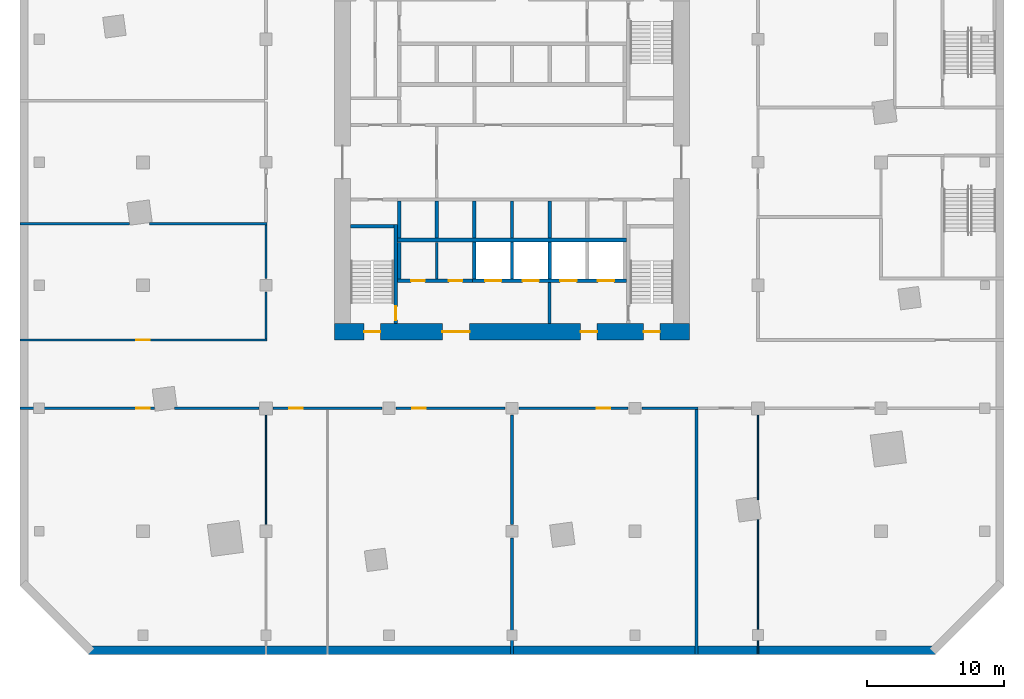
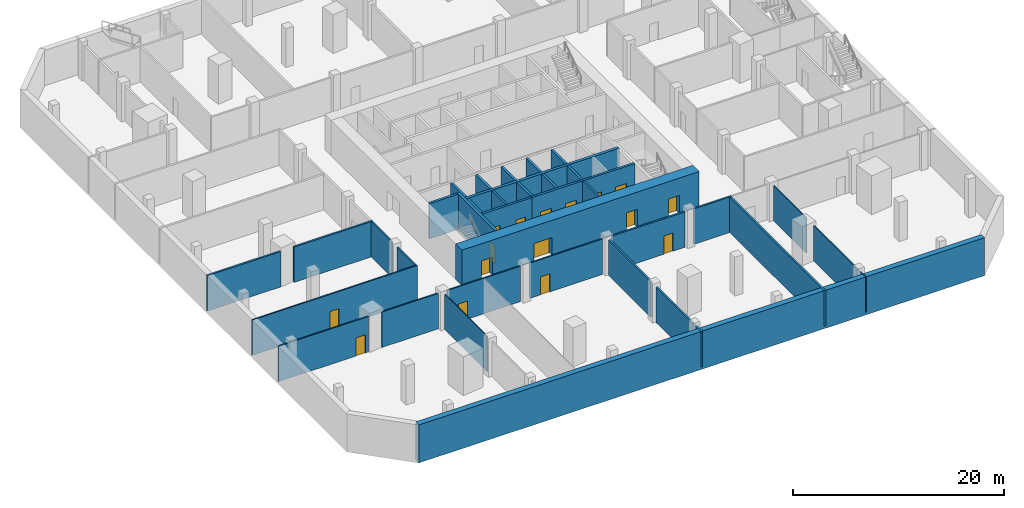
# One storey, part 2 of 11: 35 walls, 16 doors, 16 openings.
"""IFC4 building model written with IfcOpenShell, lengths in metres."""

from ifc_helpers import new_model, si_unit, direction, frame, frame_2d, origin, place, context, subcontext, project, spatial, rectangle, extrude, material, layer, layer_set, type_object, element, fill, save


model = new_model("IFC4")

# Units and contexts
model_context = context("Model", 3, precision=1e-05, world=origin(), true_north=direction((0.0, 1.0)))
body_context = subcontext(model_context, "Body", "Model", "MODEL_VIEW")
ifc_project = project(units=[si_unit("LENGTHUNIT", "METRE"), si_unit("AREAUNIT", "SQUARE_METRE"), si_unit("VOLUMEUNIT", "CUBIC_METRE"), si_unit("PLANEANGLEUNIT", "RADIAN"), si_unit("MASSUNIT", "GRAM", prefix="KILO")], contexts=[model_context])

# Site, building, storey
site_placement = place(None, origin())
site = spatial("IfcSite", under=ifc_project, at=site_placement, CompositionType="ELEMENT")
building_placement = place(site_placement, origin())
building = spatial("IfcBuilding", under=site, at=building_placement, Name="Dilmun Exchange Tower", CompositionType="ELEMENT")
storey_placement = place(building_placement, frame((0.0, 0.0, -4.5)))
storey = spatial("IfcBuildingStorey", under=building, at=storey_placement, Name="B1", CompositionType="ELEMENT", Elevation=-4.5)

# Walls
ifc_material_1 = material(Name="Concrete C40/50", Category="concrete")
ifc_layer_1 = layer(ifc_material_1, 0.199951171875)
ifc_layer_set_1 = layer_set([ifc_layer_1], Name="Concrete C40/50")
wall_type_1 = type_object("IfcWallType", Name="Core partition wall 200", PredefinedType="PARTITIONING", material=ifc_layer_set_1)
wall_1_placement = place(storey_placement, frame((2.75, -11.794921875, 0.0), z_axis=(0.0, 0.0, 1.0), x_axis=(0.0, 1.0, 0.0)))
element("IfcWall", 1, at=wall_1_placement, inside=storey, type_object=wall_type_1, Name="B1 core partition wall 01", PredefinedType="PARTITIONING", context=body_context, shape_type="SweptSolid", body=[
    extrude(rectangle(XDim=2.989990234375, YDim=0.199951171875, at=frame_2d((1.4951171875, 0.0))), origin(), (0.0, 0.0, 1.0), 4.10009765625),
])
wall_2_placement = place(storey_placement, frame((-5.5, -8.544921875, 0.0), z_axis=(0.0, 0.0, 1.0), x_axis=(0.0, 1.0, 0.0)))
element("IfcWall", 2, at=wall_2_placement, inside=storey, type_object=wall_type_1, Name="B1 core partition wall 04", PredefinedType="PARTITIONING", context=body_context, shape_type="SweptSolid", body=[
    extrude(rectangle(XDim=2.68994140625, YDim=0.199951171875, at=frame_2d((1.344970703125, 0.0))), origin(), (0.0, 0.0, 1.0), 4.10009765625),
])

# Wall, openings, doors
ifc_layer_2 = layer(ifc_material_1, 0.25)
ifc_layer_set_2 = layer_set([ifc_layer_2], Name="Concrete C40/50")
wall_type_2 = type_object("IfcWallType", Name="Core partition wall 250", PredefinedType="PARTITIONING", material=ifc_layer_set_2)
wall_3_placement = place(storey_placement, frame((-8.3701171875, -8.675048828125, 0.0), z_axis=(0.0, 0.0, 1.0), x_axis=(1.0, 0.0, 0.0)))
wall_3 = element("IfcWall", 3, at=wall_3_placement, inside=storey, type_object=wall_type_2, Name="B1 core partition wall 02", PredefinedType="PARTITIONING", context=body_context, shape_type="SweptSolid", body=[
    extrude(rectangle(XDim=5.490234375, YDim=0.25, at=frame_2d((2.7451171875, 0.0))), origin(), (0.0, 0.0, 1.0), 4.10009765625),
])
opening_1_placement = place(wall_3_placement, frame((0.9951171875, 0.0, 0.0)))
opening_1 = element("IfcOpeningElement", 4, at=opening_1_placement, cuts=wall_3, Name="Opening CD4", PredefinedType="OPENING", context=body_context, shape_type="SweptSolid", body=[
    extrude(rectangle(XDim=1.0, YDim=2.10009765625, at=frame_2d((0.5, 1.050048828125))), frame((0.0, 0.135009765625, 0.0), z_axis=(0.0, -1.0, 0.0), x_axis=(1.0, 0.0, 0.0)), (0.0, 0.0, 1.0), 0.27001953125),
])
opening_2_placement = place(wall_3_placement, frame((3.7451171875, 0.0, 0.0)))
opening_2 = element("IfcOpeningElement", 5, at=opening_2_placement, cuts=wall_3, Name="Opening CD4", PredefinedType="OPENING", context=body_context, shape_type="SweptSolid", body=[
    extrude(rectangle(XDim=1.0, YDim=2.10009765625, at=frame_2d((0.5, 1.050048828125))), frame((0.0, 0.135009765625, 0.0), z_axis=(0.0, -1.0, 0.0), x_axis=(1.0, 0.0, 0.0)), (0.0, 0.0, 1.0), 0.27001953125),
])
ifc_material_2 = material(Name="Fire-rated steel door set", Category="steel")
door_type_1 = type_object("IfcDoorType", Name="Core room door 1000x2100", OperationType="SINGLE_SWING_LEFT", PredefinedType="DOOR", material=ifc_material_2)
door_1_placement = place(opening_1_placement, origin())
door_1 = element("IfcDoor", 6, at=door_1_placement, inside=storey, type_object=door_type_1, Name="B1 door Male WC", OperationType="SINGLE_SWING_RIGHT", OverallHeight=2.10009765625, OverallWidth=1.0, PredefinedType="DOOR", context=body_context, shape_type="SweptSolid", body=[
    extrude(rectangle(XDim=1.0, YDim=2.10009765625, at=frame_2d((0.5, 1.050048828125))), frame((0.0, 0.02490234375, 0.0), z_axis=(0.0, -1.0, 0.0), x_axis=(1.0, 0.0, 0.0)), (0.0, 0.0, 1.0), 0.050048828125),
])
fill(opening_1, door_1)
door_2_placement = place(opening_2_placement, origin())
door_2 = element("IfcDoor", 7, at=door_2_placement, inside=storey, type_object=door_type_1, Name="B1 door Female WC", OperationType="SINGLE_SWING_RIGHT", OverallHeight=2.10009765625, OverallWidth=1.0, PredefinedType="DOOR", context=body_context, shape_type="SweptSolid", body=[
    extrude(rectangle(XDim=1.0, YDim=2.10009765625, at=frame_2d((0.5, 1.050048828125))), frame((0.0, 0.02490234375, 0.0), z_axis=(0.0, -1.0, 0.0), x_axis=(1.0, 0.0, 0.0)), (0.0, 0.0, 1.0), 0.050048828125),
])
fill(opening_2, door_2)

# Wall
wall_4_placement = place(storey_placement, frame((-8.25, -8.544921875, 0.0), z_axis=(0.0, 0.0, 1.0), x_axis=(0.0, 1.0, 0.0)))
element("IfcWall", 8, at=wall_4_placement, inside=storey, type_object=wall_type_2, Name="B1 core partition wall 03", PredefinedType="PARTITIONING", context=body_context, shape_type="SweptSolid", body=[
    extrude(rectangle(XDim=2.68994140625, YDim=0.25, at=frame_2d((1.344970703125, 0.0))), origin(), (0.0, 0.0, 1.0), 4.10009765625),
])

# Wall, openings, doors
ifc_material_3 = material(Name="Concrete C80/95", Category="concrete")
ifc_layer_3 = layer(ifc_material_3, 1.199951171875)
ifc_layer_set_3 = layer_set([ifc_layer_3], Name="Concrete C80/95")
wall_type_3 = type_object("IfcWallType", Name="Core shear wall 1200 Concrete C80/95", PredefinedType="SHEAR", material=ifc_layer_set_3)
wall_5_placement = place(storey_placement, frame((-13.0, -12.39990234375, 0.0), z_axis=(0.0, 0.0, 1.0), x_axis=(1.0, 0.0, 0.0)))
wall_5 = element("IfcWall", 9, at=wall_5_placement, inside=storey, type_object=wall_type_3, Name="B1 core shear wall S", PredefinedType="SHEAR", context=body_context, shape_type="SweptSolid", body=[
    extrude(rectangle(XDim=26.0, YDim=1.199951171875, at=frame_2d((13.0, 0.0))), origin(), (0.0, 0.0, 1.0), 4.10009765625),
])
opening_3_placement = place(wall_5_placement, frame((7.89990234375, 0.0, 0.0)))
opening_3 = element("IfcOpeningElement", 10, at=opening_3_placement, cuts=wall_5, Name="Opening CD2", PredefinedType="OPENING", context=body_context, shape_type="SweptSolid", body=[
    extrude(rectangle(XDim=2.0, YDim=2.10009765625, at=frame_2d((1.0, 1.050048828125))), frame((0.0, 0.60986328125, 0.0), z_axis=(0.0, -1.0, 0.0), x_axis=(1.0, 0.0, 0.0)), (0.0, 0.0, 1.0), 1.219970703125),
])
opening_4_placement = place(wall_5_placement, frame((18.02490234375, 0.0, 0.0)))
opening_4 = element("IfcOpeningElement", 11, at=opening_4_placement, cuts=wall_5, Name="Opening CD3", PredefinedType="OPENING", context=body_context, shape_type="SweptSolid", body=[
    extrude(rectangle(XDim=1.199951171875, YDim=2.10009765625, at=frame_2d((0.60009765625, 1.050048828125))), frame((0.0, 0.60986328125, 0.0), z_axis=(0.0, -1.0, 0.0), x_axis=(1.0, 0.0, 0.0)), (0.0, 0.0, 1.0), 1.219970703125),
])
opening_5_placement = place(wall_5_placement, frame((2.175048828125, 0.0, 0.0)))
opening_5 = element("IfcOpeningElement", 12, at=opening_5_placement, cuts=wall_5, Name="Opening CD3", PredefinedType="OPENING", context=body_context, shape_type="SweptSolid", body=[
    extrude(rectangle(XDim=1.199951171875, YDim=2.10009765625, at=frame_2d((0.60009765625, 1.050048828125))), frame((0.0, 0.60986328125, 0.0), z_axis=(0.0, -1.0, 0.0), x_axis=(1.0, 0.0, 0.0)), (0.0, 0.0, 1.0), 1.219970703125),
])
opening_6_placement = place(wall_5_placement, frame((22.625, 0.0, 0.0)))
opening_6 = element("IfcOpeningElement", 13, at=opening_6_placement, cuts=wall_5, Name="Opening CD3", PredefinedType="OPENING", context=body_context, shape_type="SweptSolid", body=[
    extrude(rectangle(XDim=1.199951171875, YDim=2.10009765625, at=frame_2d((0.60009765625, 1.050048828125))), frame((0.0, 0.60986328125, 0.0), z_axis=(0.0, -1.0, 0.0), x_axis=(1.0, 0.0, 0.0)), (0.0, 0.0, 1.0), 1.219970703125),
])
door_type_2 = type_object("IfcDoorType", Name="Core service door 2000x2100", OperationType="DOUBLE_DOOR_DOUBLE_SWING", PredefinedType="DOOR", material=ifc_material_2)
door_3_placement = place(opening_3_placement, origin())
door_3 = element("IfcDoor", 14, at=door_3_placement, inside=storey, type_object=door_type_2, Name="B1 door South service lobby", OperationType="SINGLE_SWING_LEFT", OverallHeight=2.10009765625, OverallWidth=2.0, PredefinedType="DOOR", context=body_context, shape_type="SweptSolid", body=[
    extrude(rectangle(XDim=2.0, YDim=2.10009765625, at=frame_2d((1.0, 1.050048828125))), frame((0.0, 0.02490234375, 0.0), z_axis=(0.0, -1.0, 0.0), x_axis=(1.0, 0.0, 0.0)), (0.0, 0.0, 1.0), 0.050048828125),
])
fill(opening_3, door_3)
door_type_3 = type_object("IfcDoorType", Name="Stair exit door 1200x2100", OperationType="SINGLE_SWING_LEFT", PredefinedType="DOOR", material=ifc_material_2)
door_4_placement = place(opening_4_placement, origin())
door_4 = element("IfcDoor", 15, at=door_4_placement, inside=storey, type_object=door_type_3, Name="B1 door Fire-fighting lobby", OperationType="SINGLE_SWING_LEFT", OverallHeight=2.10009765625, OverallWidth=1.199951171875, PredefinedType="DOOR", context=body_context, shape_type="SweptSolid", body=[
    extrude(rectangle(XDim=1.199951171875, YDim=2.10009765625, at=frame_2d((0.60009765625, 1.050048828125))), frame((0.0, 0.02490234375, 0.0), z_axis=(0.0, -1.0, 0.0), x_axis=(1.0, 0.0, 0.0)), (0.0, 0.0, 1.0), 0.050048828125),
])
fill(opening_4, door_4)
door_5_placement = place(opening_5_placement, origin())
door_5 = element("IfcDoor", 16, at=door_5_placement, inside=storey, type_object=door_type_3, Name="B1 door Stair ST2", OperationType="SINGLE_SWING_LEFT", OverallHeight=2.10009765625, OverallWidth=1.199951171875, PredefinedType="DOOR", context=body_context, shape_type="SweptSolid", body=[
    extrude(rectangle(XDim=1.199951171875, YDim=2.10009765625, at=frame_2d((0.60009765625, 1.050048828125))), frame((0.0, 0.02490234375, 0.0), z_axis=(0.0, -1.0, 0.0), x_axis=(1.0, 0.0, 0.0)), (0.0, 0.0, 1.0), 0.050048828125),
])
fill(opening_5, door_5)
door_6_placement = place(opening_6_placement, origin())
door_6 = element("IfcDoor", 17, at=door_6_placement, inside=storey, type_object=door_type_3, Name="B1 door Stair ST3", OperationType="SINGLE_SWING_LEFT", OverallHeight=2.10009765625, OverallWidth=1.199951171875, PredefinedType="DOOR", context=body_context, shape_type="SweptSolid", body=[
    extrude(rectangle(XDim=1.199951171875, YDim=2.10009765625, at=frame_2d((0.60009765625, 1.050048828125))), frame((0.0, 0.02490234375, 0.0), z_axis=(0.0, -1.0, 0.0), x_axis=(1.0, 0.0, 0.0)), (0.0, 0.0, 1.0), 0.050048828125),
])
fill(opening_6, door_6)

# Wall, opening, door
ifc_material_4 = material(Name="Fire partition EI 60 150 gypsum")
ifc_layer_4 = layer(ifc_material_4, 0.14990234375)
ifc_layer_set_4 = layer_set([ifc_layer_4], Name="Fire partition EI 60 150 gypsum")
wall_type_4 = type_object("IfcWallType", Name="Fire partition EI 60 150 gypsum", PredefinedType="PARTITIONING", material=ifc_layer_set_4)
wall_6_placement = place(storey_placement, frame((-36.0, -18.0, 0.0), z_axis=(0.0, 0.0, 1.0), x_axis=(1.0, 0.0, 0.0)))
wall_6 = element("IfcWall", 18, at=wall_6_placement, inside=storey, type_object=wall_type_4, Name="B1 partition", PredefinedType="PARTITIONING", context=body_context, shape_type="SweptSolid", body=[
    extrude(rectangle(XDim=9.856689453125, YDim=0.14990234375, at=frame_2d((4.92822265625, 0.0))), origin(), (0.0, 0.0, 1.0), 4.10009765625),
])
opening_7_placement = place(wall_6_placement, frame((8.5, 0.0, 0.0)))
opening_7 = element("IfcOpeningElement", 19, at=opening_7_placement, cuts=wall_6, Name="Opening B1-D011", PredefinedType="OPENING", context=body_context, shape_type="SweptSolid", body=[
    extrude(rectangle(XDim=1.0, YDim=2.10009765625, at=frame_2d((0.5, 1.050048828125))), frame((0.0, 0.0849609375, 0.0), z_axis=(0.0, -1.0, 0.0), x_axis=(1.0, 0.0, 0.0)), (0.0, 0.0, 1.0), 0.169921875),
])
ifc_material_5 = material(Name="Fire door FD60 1000 x 2100")
door_type_4 = type_object("IfcDoorType", Name="Fire door FD60 1000 x 2100", OperationType="SINGLE_SWING_LEFT", PredefinedType="DOOR", material=ifc_material_5)
door_7_placement = place(opening_7_placement, origin())
door_7 = element("IfcDoor", 20, at=door_7_placement, inside=storey, type_object=door_type_4, Name="B1 door B1-D011", OperationType="SINGLE_SWING_LEFT", OverallHeight=2.10009765625, OverallWidth=1.0, PredefinedType="DOOR", context=body_context, shape_type="SweptSolid", body=[
    extrude(rectangle(XDim=1.0, YDim=2.10009765625, at=frame_2d((0.5, 1.050048828125))), frame((0.0, 0.02490234375, 0.0), z_axis=(0.0, -1.0, 0.0), x_axis=(1.0, 0.0, 0.0)), (0.0, 0.0, 1.0), 0.050048828125),
])
fill(opening_7, door_7)

# Wall
wall_7_placement = place(storey_placement, frame((-24.680908203125, -18.0, 0.0), z_axis=(0.0, 0.0, 1.0), x_axis=(1.0, 0.0, 0.0)))
element("IfcWall", 21, at=wall_7_placement, inside=storey, type_object=wall_type_4, Name="B1 partition", PredefinedType="PARTITIONING", context=body_context, shape_type="SweptSolid", body=[
    extrude(rectangle(XDim=6.180908203125, YDim=0.14990234375, at=frame_2d((3.09033203125, 0.0))), origin(), (0.0, 0.0, 1.0), 4.10009765625),
])

# Wall, opening, door
wall_8_placement = place(storey_placement, frame((-17.5, -18.0, 0.0), z_axis=(0.0, 0.0, 1.0), x_axis=(1.0, 0.0, 0.0)))
wall_8 = element("IfcWall", 22, at=wall_8_placement, inside=storey, type_object=wall_type_4, Name="B1 partition", PredefinedType="PARTITIONING", context=body_context, shape_type="SweptSolid", body=[
    extrude(rectangle(XDim=8.0, YDim=0.14990234375, at=frame_2d((4.0, 0.0))), origin(), (0.0, 0.0, 1.0), 4.10009765625),
])
opening_8_placement = place(wall_8_placement, frame((1.199951171875, 0.0, 0.0)))
opening_8 = element("IfcOpeningElement", 23, at=opening_8_placement, cuts=wall_8, Name="Opening B1-D012", PredefinedType="OPENING", context=body_context, shape_type="SweptSolid", body=[
    extrude(rectangle(XDim=1.0, YDim=2.10009765625, at=frame_2d((0.5, 1.050048828125))), frame((0.0, 0.0849609375, 0.0), z_axis=(0.0, -1.0, 0.0), x_axis=(1.0, 0.0, 0.0)), (0.0, 0.0, 1.0), 0.169921875),
])
door_8_placement = place(opening_8_placement, origin())
door_8 = element("IfcDoor", 24, at=door_8_placement, inside=storey, type_object=door_type_4, Name="B1 door B1-D012", OperationType="SINGLE_SWING_RIGHT", OverallHeight=2.10009765625, OverallWidth=1.0, PredefinedType="DOOR", context=body_context, shape_type="SweptSolid", body=[
    extrude(rectangle(XDim=1.0, YDim=2.10009765625, at=frame_2d((0.5, 1.050048828125))), frame((0.0, 0.02490234375, 0.0), z_axis=(0.0, -1.0, 0.0), x_axis=(1.0, 0.0, 0.0)), (0.0, 0.0, 1.0), 0.050048828125),
])
fill(opening_8, door_8)

wall_9_placement = place(storey_placement, frame((-8.5, -18.0, 0.0), z_axis=(0.0, 0.0, 1.0), x_axis=(1.0, 0.0, 0.0)))
wall_9 = element("IfcWall", 25, at=wall_9_placement, inside=storey, type_object=wall_type_4, Name="B1 partition", PredefinedType="PARTITIONING", context=body_context, shape_type="SweptSolid", body=[
    extrude(rectangle(XDim=8.0, YDim=0.14990234375, at=frame_2d((4.0, 0.0))), origin(), (0.0, 0.0, 1.0), 4.10009765625),
])
opening_9_placement = place(wall_9_placement, frame((1.199951171875, 0.0, 0.0)))
opening_9 = element("IfcOpeningElement", 26, at=opening_9_placement, cuts=wall_9, Name="Opening B1-D013", PredefinedType="OPENING", context=body_context, shape_type="SweptSolid", body=[
    extrude(rectangle(XDim=1.0, YDim=2.10009765625, at=frame_2d((0.5, 1.050048828125))), frame((0.0, 0.0849609375, 0.0), z_axis=(0.0, -1.0, 0.0), x_axis=(1.0, 0.0, 0.0)), (0.0, 0.0, 1.0), 0.169921875),
])
door_9_placement = place(opening_9_placement, origin())
door_9 = element("IfcDoor", 27, at=door_9_placement, inside=storey, type_object=door_type_4, Name="B1 door B1-D013", OperationType="SINGLE_SWING_LEFT", OverallHeight=2.10009765625, OverallWidth=1.0, PredefinedType="DOOR", context=body_context, shape_type="SweptSolid", body=[
    extrude(rectangle(XDim=1.0, YDim=2.10009765625, at=frame_2d((0.5, 1.050048828125))), frame((0.0, 0.02490234375, 0.0), z_axis=(0.0, -1.0, 0.0), x_axis=(1.0, 0.0, 0.0)), (0.0, 0.0, 1.0), 0.050048828125),
])
fill(opening_9, door_9)

wall_10_placement = place(storey_placement, frame((-36.0, -13.0, 0.0), z_axis=(0.0, 0.0, 1.0), x_axis=(1.0, 0.0, 0.0)))
wall_10 = element("IfcWall", 28, at=wall_10_placement, inside=storey, type_object=wall_type_4, Name="B1 partition", PredefinedType="PARTITIONING", context=body_context, shape_type="SweptSolid", body=[
    extrude(rectangle(XDim=18.074951171875, YDim=0.14990234375, at=frame_2d((9.03759765625, 0.0))), origin(), (0.0, 0.0, 1.0), 4.10009765625),
])
opening_10_placement = place(wall_10_placement, frame((8.5, 0.0, 0.0)))
opening_10 = element("IfcOpeningElement", 29, at=opening_10_placement, cuts=wall_10, Name="Opening B1-D017", PredefinedType="OPENING", context=body_context, shape_type="SweptSolid", body=[
    extrude(rectangle(XDim=1.0, YDim=2.10009765625, at=frame_2d((0.5, 1.050048828125))), frame((0.0, 0.0849609375, 0.0), z_axis=(0.0, -1.0, 0.0), x_axis=(1.0, 0.0, 0.0)), (0.0, 0.0, 1.0), 0.169921875),
])
door_10_placement = place(opening_10_placement, origin())
door_10 = element("IfcDoor", 30, at=door_10_placement, inside=storey, type_object=door_type_4, Name="B1 door B1-D017", OperationType="SINGLE_SWING_LEFT", OverallHeight=2.10009765625, OverallWidth=1.0, PredefinedType="DOOR", context=body_context, shape_type="SweptSolid", body=[
    extrude(rectangle(XDim=1.0, YDim=2.10009765625, at=frame_2d((0.5, 1.050048828125))), frame((0.0, 0.02490234375, 0.0), z_axis=(0.0, -1.0, 0.0), x_axis=(1.0, 0.0, 0.0)), (0.0, 0.0, 1.0), 0.050048828125),
])
fill(opening_10, door_10)

# Walls
wall_11_placement = place(storey_placement, frame((-18.0, -12.925048828125, 0.0), z_axis=(0.0, 0.0, 1.0), x_axis=(0.0, 1.0, 0.0)))
element("IfcWall", 31, at=wall_11_placement, inside=storey, type_object=wall_type_4, Name="B1 partition", PredefinedType="PARTITIONING", context=body_context, shape_type="SweptSolid", body=[
    extrude(rectangle(XDim=3.425048828125, YDim=0.14990234375, at=frame_2d((1.71240234375, 0.0))), origin(), (0.0, 0.0, 1.0), 4.10009765625),
])
wall_12_placement = place(storey_placement, frame((-18.0, -8.5, 0.0), z_axis=(0.0, 0.0, 1.0), x_axis=(0.0, 1.0, 0.0)))
element("IfcWall", 32, at=wall_12_placement, inside=storey, type_object=wall_type_4, Name="B1 partition", PredefinedType="PARTITIONING", context=body_context, shape_type="SweptSolid", body=[
    extrude(rectangle(XDim=3.89990234375, YDim=0.14990234375, at=frame_2d((1.949951171875, 0.0))), origin(), (0.0, 0.0, 1.0), 4.10009765625),
])

# Wall, opening, door
ifc_material_6 = material(Name="Fire wall EI 120 200 blockwork", Category="masonry")
ifc_layer_5 = layer(ifc_material_6, 0.199951171875)
ifc_layer_set_5 = layer_set([ifc_layer_5], Name="Fire wall EI 120 200 blockwork")
wall_type_5 = type_object("IfcWallType", Name="Fire wall EI 120 200 blockwork", PredefinedType="PARTITIONING", material=ifc_layer_set_5)
wall_13_placement = place(storey_placement, frame((0.5, -18.0, 0.0), z_axis=(0.0, 0.0, 1.0), x_axis=(1.0, 0.0, 0.0)))
wall_13 = element("IfcWall", 33, at=wall_13_placement, inside=storey, type_object=wall_type_5, Name="B1 partition", PredefinedType="PARTITIONING", context=body_context, shape_type="SweptSolid", body=[
    extrude(rectangle(XDim=8.0, YDim=0.199951171875, at=frame_2d((4.0, 0.0))), origin(), (0.0, 0.0, 1.0), 4.10009765625),
])
opening_11_placement = place(wall_13_placement, frame((5.699951171875, 0.0, 0.0)))
opening_11 = element("IfcOpeningElement", 34, at=opening_11_placement, cuts=wall_13, Name="Opening B1-D014", PredefinedType="OPENING", context=body_context, shape_type="SweptSolid", body=[
    extrude(rectangle(XDim=1.0, YDim=2.10009765625, at=frame_2d((0.5, 1.050048828125))), frame((0.0, 0.10986328125, 0.0), z_axis=(0.0, -1.0, 0.0), x_axis=(1.0, 0.0, 0.0)), (0.0, 0.0, 1.0), 0.219970703125),
])
door_11_placement = place(opening_11_placement, origin())
door_11 = element("IfcDoor", 35, at=door_11_placement, inside=storey, type_object=door_type_4, Name="B1 door B1-D014", OperationType="SINGLE_SWING_RIGHT", OverallHeight=2.10009765625, OverallWidth=1.0, PredefinedType="DOOR", context=body_context, shape_type="SweptSolid", body=[
    extrude(rectangle(XDim=1.0, YDim=2.10009765625, at=frame_2d((0.5, 1.050048828125))), frame((0.0, 0.02490234375, 0.0), z_axis=(0.0, -1.0, 0.0), x_axis=(1.0, 0.0, 0.0)), (0.0, 0.0, 1.0), 0.050048828125),
])
fill(opening_11, door_11)

# Walls
wall_14_placement = place(storey_placement, frame((9.5, -18.0, 0.0), z_axis=(0.0, 0.0, 1.0), x_axis=(1.0, 0.0, 0.0)))
element("IfcWall", 36, at=wall_14_placement, inside=storey, type_object=wall_type_5, Name="B1 partition", PredefinedType="PARTITIONING", context=body_context, shape_type="SweptSolid", body=[
    extrude(rectangle(XDim=4.10009765625, YDim=0.199951171875, at=frame_2d((2.050048828125, 0.0))), origin(), (0.0, 0.0, 1.0), 4.10009765625),
])
wall_15_placement = place(storey_placement, frame((-36.0, -4.5, 0.0), z_axis=(0.0, 0.0, 1.0), x_axis=(1.0, 0.0, 0.0)))
element("IfcWall", 37, at=wall_15_placement, inside=storey, type_object=wall_type_5, Name="B1 partition", PredefinedType="PARTITIONING", context=body_context, shape_type="SweptSolid", body=[
    extrude(rectangle(XDim=8.015869140625, YDim=0.199951171875, at=frame_2d((4.0078125, 0.0))), origin(), (0.0, 0.0, 1.0), 4.10009765625),
])
wall_16_placement = place(storey_placement, frame((-26.521728515625, -4.5, 0.0), z_axis=(0.0, 0.0, 1.0), x_axis=(1.0, 0.0, 0.0)))
element("IfcWall", 38, at=wall_16_placement, inside=storey, type_object=wall_type_5, Name="B1 partition", PredefinedType="PARTITIONING", context=body_context, shape_type="SweptSolid", body=[
    extrude(rectangle(XDim=8.5966796875, YDim=0.199951171875, at=frame_2d((4.29833984375, 0.0))), origin(), (0.0, 0.0, 1.0), 4.10009765625),
])
wall_17_placement = place(storey_placement, frame((0.0, -36.0, 0.0), z_axis=(0.0, 0.0, 1.0), x_axis=(0.0, 1.0, 0.0)))
element("IfcWall", 39, at=wall_17_placement, inside=storey, type_object=wall_type_5, Name="B1 partition", PredefinedType="PARTITIONING", context=body_context, shape_type="SweptSolid", body=[
    extrude(rectangle(XDim=8.5, YDim=0.199951171875, at=frame_2d((4.25, 0.0))), origin(), (0.0, 0.0, 1.0), 4.10009765625),
])
wall_18_placement = place(storey_placement, frame((0.0, -26.5, 0.0), z_axis=(0.0, 0.0, 1.0), x_axis=(0.0, 1.0, 0.0)))
element("IfcWall", 40, at=wall_18_placement, inside=storey, type_object=wall_type_5, Name="B1 partition", PredefinedType="PARTITIONING", context=body_context, shape_type="SweptSolid", body=[
    extrude(rectangle(XDim=8.0, YDim=0.199951171875, at=frame_2d((4.0, 0.0))), origin(), (0.0, 0.0, 1.0), 4.10009765625),
])
wall_19_placement = place(storey_placement, frame((13.5, -36.0, 0.0), z_axis=(0.0, 0.0, 1.0), x_axis=(0.0, 1.0, 0.0)))
element("IfcWall", 41, at=wall_19_placement, inside=storey, type_object=wall_type_5, Name="B1 partition", PredefinedType="PARTITIONING", context=body_context, shape_type="SweptSolid", body=[
    extrude(rectangle(XDim=17.925048828125, YDim=0.199951171875, at=frame_2d((8.96240234375, 0.0))), origin(), (0.0, 0.0, 1.0), 4.10009765625),
])
ifc_layer_6 = layer(ifc_material_1, 0.300048828125)
ifc_layer_set_6 = layer_set([ifc_layer_6], Name="Concrete C40/50")
wall_type_6 = type_object("IfcWallType", Name="Lift shaft shared wall 300", PredefinedType="SOLIDWALL", material=ifc_layer_set_6)
wall_20_placement = place(storey_placement, frame((-8.375, -5.699951171875, 0.0), z_axis=(0.0, 0.0, 1.0), x_axis=(1.0, 0.0, 0.0)))
element("IfcWall", 42, at=wall_20_placement, inside=storey, type_object=wall_type_6, Name="B1 lift shaft rear wall S", PredefinedType="SOLIDWALL", context=body_context, shape_type="SweptSolid", body=[
    extrude(rectangle(XDim=16.75, YDim=0.300048828125, at=frame_2d((8.375, 0.0))), origin(), (0.0, 0.0, 1.0), 4.10009765625),
])
ifc_layer_7 = layer(ifc_material_1, 0.25)
ifc_layer_set_7 = layer_set([ifc_layer_7], Name="Concrete C40/50")
wall_type_7 = type_object("IfcWallType", Name="Lift shaft wall 250", PredefinedType="SOLIDWALL", material=ifc_layer_set_7)
for number, where, z_axis, x_axis, name in (
    (43, (-8.25, -5.550048828125, 0.0), (0.0, 0.0, 1.0), (0.0, 1.0, 0.0), "B1 lift shaft divider S10"),
    (44, (-5.5, -5.550048828125, 0.0), (0.0, 0.0, 1.0), (0.0, 1.0, 0.0), "B1 lift shaft divider S11"),
    (45, (-2.75, -5.550048828125, 0.0), (0.0, 0.0, 1.0), (0.0, 1.0, 0.0), "B1 lift shaft divider S12"),
    (46, (0.0, -5.550048828125, 0.0), (0.0, 0.0, 1.0), (0.0, 1.0, 0.0), "B1 lift shaft divider S13"),
    (47, (2.75, -5.550048828125, 0.0), (0.0, 0.0, 1.0), (0.0, 1.0, 0.0), "B1 lift shaft divider S14"),
):
    element("IfcWall", number, at=place(storey_placement, frame(where, z_axis=z_axis, x_axis=x_axis)), inside=storey, type_object=wall_type_7, Name=name, PredefinedType="SOLIDWALL", context=body_context, shape_type="SweptSolid", body=[
        extrude(rectangle(XDim=2.699951171875, YDim=0.25, at=frame_2d((1.35009765625, 0.0))), origin(), (0.0, 0.0, 1.0), 4.10009765625),
    ])

# Wall, openings, doors
wall_21_placement = place(storey_placement, frame((-2.875, -8.675048828125, 0.0), z_axis=(0.0, 0.0, 1.0), x_axis=(1.0, 0.0, 0.0)))
wall_21 = element("IfcWall", 48, at=wall_21_placement, inside=storey, type_object=wall_type_7, Name="B1 lift shaft front wall S2", PredefinedType="SOLIDWALL", context=body_context, shape_type="SweptSolid", body=[
    extrude(rectangle(XDim=11.25, YDim=0.25, at=frame_2d((5.625, 0.0))), origin(), (0.0, 0.0, 1.0), 4.10009765625),
])
opening_12_placement = place(wall_21_placement, frame((0.89990234375, 0.0, 0.0)))
opening_12 = element("IfcOpeningElement", 49, at=opening_12_placement, cuts=wall_21, Name="Opening LD", PredefinedType="OPENING", context=body_context, shape_type="SweptSolid", body=[
    extrude(rectangle(XDim=1.199951171875, YDim=2.10009765625, at=frame_2d((0.60009765625, 1.050048828125))), frame((0.0, 0.135009765625, 0.0), z_axis=(0.0, -1.0, 0.0), x_axis=(1.0, 0.0, 0.0)), (0.0, 0.0, 1.0), 0.27001953125),
])
opening_13_placement = place(wall_21_placement, frame((3.64990234375, 0.0, 0.0)))
opening_13 = element("IfcOpeningElement", 50, at=opening_13_placement, cuts=wall_21, Name="Opening LD", PredefinedType="OPENING", context=body_context, shape_type="SweptSolid", body=[
    extrude(rectangle(XDim=1.199951171875, YDim=2.10009765625, at=frame_2d((0.60009765625, 1.050048828125))), frame((0.0, 0.135009765625, 0.0), z_axis=(0.0, -1.0, 0.0), x_axis=(1.0, 0.0, 0.0)), (0.0, 0.0, 1.0), 0.27001953125),
])
opening_14_placement = place(wall_21_placement, frame((6.39990234375, 0.0, 0.0)))
opening_14 = element("IfcOpeningElement", 51, at=opening_14_placement, cuts=wall_21, Name="Opening LD", PredefinedType="OPENING", context=body_context, shape_type="SweptSolid", body=[
    extrude(rectangle(XDim=1.199951171875, YDim=2.10009765625, at=frame_2d((0.60009765625, 1.050048828125))), frame((0.0, 0.135009765625, 0.0), z_axis=(0.0, -1.0, 0.0), x_axis=(1.0, 0.0, 0.0)), (0.0, 0.0, 1.0), 0.27001953125),
])
opening_15_placement = place(wall_21_placement, frame((9.14990234375, 0.0, 0.0)))
opening_15 = element("IfcOpeningElement", 52, at=opening_15_placement, cuts=wall_21, Name="Opening LD", PredefinedType="OPENING", context=body_context, shape_type="SweptSolid", body=[
    extrude(rectangle(XDim=1.199951171875, YDim=2.10009765625, at=frame_2d((0.60009765625, 1.050048828125))), frame((0.0, 0.135009765625, 0.0), z_axis=(0.0, -1.0, 0.0), x_axis=(1.0, 0.0, 0.0)), (0.0, 0.0, 1.0), 0.27001953125),
])
door_type_5 = type_object("IfcDoorType", Name="Lift landing door 1200x2100", OperationType="DOUBLE_DOOR_SLIDING", PredefinedType="DOOR", material=ifc_material_2)
door_12_placement = place(opening_12_placement, origin())
door_12 = element("IfcDoor", 53, at=door_12_placement, inside=storey, type_object=door_type_5, Name="B1 landing door SV1", OperationType="DOUBLE_DOOR_SLIDING", OverallHeight=2.10009765625, OverallWidth=1.199951171875, PredefinedType="DOOR", context=body_context, shape_type="SweptSolid", body=[
    extrude(rectangle(XDim=1.199951171875, YDim=2.10009765625, at=frame_2d((0.60009765625, 1.050048828125))), frame((0.0, 0.02490234375, 0.0), z_axis=(0.0, -1.0, 0.0), x_axis=(1.0, 0.0, 0.0)), (0.0, 0.0, 1.0), 0.050048828125),
])
fill(opening_12, door_12)
door_13_placement = place(opening_13_placement, origin())
door_13 = element("IfcDoor", 54, at=door_13_placement, inside=storey, type_object=door_type_5, Name="B1 landing door SV2", OperationType="DOUBLE_DOOR_SLIDING", OverallHeight=2.10009765625, OverallWidth=1.199951171875, PredefinedType="DOOR", context=body_context, shape_type="SweptSolid", body=[
    extrude(rectangle(XDim=1.199951171875, YDim=2.10009765625, at=frame_2d((0.60009765625, 1.050048828125))), frame((0.0, 0.02490234375, 0.0), z_axis=(0.0, -1.0, 0.0), x_axis=(1.0, 0.0, 0.0)), (0.0, 0.0, 1.0), 0.050048828125),
])
fill(opening_13, door_13)
door_14_placement = place(opening_14_placement, origin())
door_14 = element("IfcDoor", 55, at=door_14_placement, inside=storey, type_object=door_type_5, Name="B1 landing door FF1", OperationType="DOUBLE_DOOR_SLIDING", OverallHeight=2.10009765625, OverallWidth=1.199951171875, PredefinedType="DOOR", context=body_context, shape_type="SweptSolid", body=[
    extrude(rectangle(XDim=1.199951171875, YDim=2.10009765625, at=frame_2d((0.60009765625, 1.050048828125))), frame((0.0, 0.02490234375, 0.0), z_axis=(0.0, -1.0, 0.0), x_axis=(1.0, 0.0, 0.0)), (0.0, 0.0, 1.0), 0.050048828125),
])
fill(opening_14, door_14)
door_15_placement = place(opening_15_placement, origin())
door_15 = element("IfcDoor", 56, at=door_15_placement, inside=storey, type_object=door_type_5, Name="B1 landing door FF2", OperationType="DOUBLE_DOOR_SLIDING", OverallHeight=2.10009765625, OverallWidth=1.199951171875, PredefinedType="DOOR", context=body_context, shape_type="SweptSolid", body=[
    extrude(rectangle(XDim=1.199951171875, YDim=2.10009765625, at=frame_2d((0.60009765625, 1.050048828125))), frame((0.0, 0.02490234375, 0.0), z_axis=(0.0, -1.0, 0.0), x_axis=(1.0, 0.0, 0.0)), (0.0, 0.0, 1.0), 0.050048828125),
])
fill(opening_15, door_15)

# Walls
for number, where, z_axis, x_axis, name in (
    (57, (-2.75, -8.550048828125, 0.0), (0.0, 0.0, 1.0), (0.0, 1.0, 0.0), "B1 lift shaft divider S22"),
    (58, (0.0, -8.550048828125, 0.0), (0.0, 0.0, 1.0), (0.0, 1.0, 0.0), "B1 lift shaft divider S23"),
    (59, (2.75, -8.550048828125, 0.0), (0.0, 0.0, 1.0), (0.0, 1.0, 0.0), "B1 lift shaft divider S24"),
):
    element("IfcWall", number, at=place(storey_placement, frame(where, z_axis=z_axis, x_axis=x_axis)), inside=storey, type_object=wall_type_7, Name=name, PredefinedType="SOLIDWALL", context=body_context, shape_type="SweptSolid", body=[
        extrude(rectangle(XDim=2.699951171875, YDim=0.25, at=frame_2d((1.35009765625, 0.0))), origin(), (0.0, 0.0, 1.0), 4.10009765625),
    ])
ifc_material_7 = material(Name="Partition 100 gypsum")
ifc_layer_8 = layer(ifc_material_7, 0.10009765625)
ifc_layer_set_8 = layer_set([ifc_layer_8], Name="Partition 100 gypsum")
wall_type_8 = type_object("IfcWallType", Name="Partition 100 gypsum", PredefinedType="PARTITIONING", material=ifc_layer_set_8)
wall_22_placement = place(storey_placement, frame((-18.0, -26.5, 0.0), z_axis=(0.0, 0.0, 1.0), x_axis=(0.0, 1.0, 0.0)))
element("IfcWall", 60, at=wall_22_placement, inside=storey, type_object=wall_type_8, Name="B1 partition", PredefinedType="PARTITIONING", context=body_context, shape_type="SweptSolid", body=[
    extrude(rectangle(XDim=8.0, YDim=0.10009765625, at=frame_2d((4.0, 0.0))), origin(), (0.0, 0.0, 1.0), 4.10009765625),
])
wall_23_placement = place(storey_placement, frame((18.0, -36.0, 0.0), z_axis=(0.0, 0.0, 1.0), x_axis=(0.0, 1.0, 0.0)))
element("IfcWall", 61, at=wall_23_placement, inside=storey, type_object=wall_type_8, Name="B1 partition", PredefinedType="PARTITIONING", context=body_context, shape_type="SweptSolid", body=[
    extrude(rectangle(XDim=9.856689453125, YDim=0.10009765625, at=frame_2d((4.92822265625, 0.0))), origin(), (0.0, 0.0, 1.0), 4.10009765625),
])
wall_24_placement = place(storey_placement, frame((18.0, -24.680908203125, 0.0), z_axis=(0.0, 0.0, 1.0), x_axis=(0.0, 1.0, 0.0)))
element("IfcWall", 62, at=wall_24_placement, inside=storey, type_object=wall_type_8, Name="B1 partition", PredefinedType="PARTITIONING", context=body_context, shape_type="SweptSolid", body=[
    extrude(rectangle(XDim=6.180908203125, YDim=0.10009765625, at=frame_2d((3.09033203125, 0.0))), origin(), (0.0, 0.0, 1.0), 4.10009765625),
])
ifc_layer_9 = layer(ifc_material_1, 0.60009765625)
ifc_layer_set_9 = layer_set([ifc_layer_9], Name="Concrete C40/50")
wall_type_9 = type_object("IfcWallType", Name="RC basement wall 600", PredefinedType="SOLIDWALL", material=ifc_layer_set_9)
wall_25_placement = place(storey_placement, frame((-31.0, -35.699951171875, -0.300048828125), z_axis=(0.0, 0.0, 1.0), x_axis=(1.0, 0.0, 0.0)))
element("IfcWall", 63, at=wall_25_placement, inside=storey, type_object=wall_type_9, Name="Basement retaining wall", PredefinedType="SOLIDWALL", context=body_context, shape_type="SweptSolid", body=[
    extrude(rectangle(XDim=62.0, YDim=0.60009765625, at=frame_2d((31.0, 0.0))), origin(), (0.0, 0.0, 1.0), 4.400146484375),
])
ifc_layer_10 = layer(ifc_material_1, 0.25)
ifc_layer_set_10 = layer_set([ifc_layer_10], Name="Concrete C40/50")
wall_type_10 = type_object("IfcWallType", Name="Stair end wall 250", PredefinedType="SOLIDWALL", material=ifc_layer_set_10)
wall_26_placement = place(storey_placement, frame((-8.64990234375, -4.675048828125, 0.0), z_axis=(0.0, 0.0, 1.0), x_axis=(-1.0, 0.0, 0.0)))
element("IfcWall", 64, at=wall_26_placement, inside=storey, type_object=wall_type_10, Name="B1 ST2 far wall", PredefinedType="SOLIDWALL", context=body_context, shape_type="SweptSolid", body=[
    extrude(rectangle(XDim=3.150146484375, YDim=0.25, at=frame_2d((1.5751953125, 0.0))), origin(), (0.0, 0.0, 1.0), 4.10009765625),
])

# Wall, opening, door
ifc_layer_11 = layer(ifc_material_1, 0.27490234375)
ifc_layer_set_11 = layer_set([ifc_layer_11], Name="Concrete C40/50")
wall_type_11 = type_object("IfcWallType", Name="Stair wall 275", PredefinedType="SOLIDWALL", material=ifc_layer_set_11)
wall_27_placement = place(storey_placement, frame((-8.512451171875, -4.550048828125, 0.0), z_axis=(0.0, 0.0, 1.0), x_axis=(0.0, -1.0, 0.0)))
wall_27 = element("IfcWall", 65, at=wall_27_placement, inside=storey, type_object=wall_type_11, Name="B1 ST2 wall to lift block", PredefinedType="SOLIDWALL", context=body_context, shape_type="SweptSolid", body=[
    extrude(rectangle(XDim=7.25, YDim=0.27490234375, at=frame_2d((3.625, 0.0))), origin(), (0.0, 0.0, 1.0), 4.10009765625),
])
opening_16_placement = place(wall_27_placement, frame((6.0, 0.0, 0.0)))
opening_16 = element("IfcOpeningElement", 66, at=opening_16_placement, cuts=wall_27, Name="Opening CD4", PredefinedType="OPENING", context=body_context, shape_type="SweptSolid", body=[
    extrude(rectangle(XDim=1.0, YDim=2.10009765625, at=frame_2d((0.5, 1.050048828125))), frame((0.0, 0.1474609375, 0.0), z_axis=(0.0, -1.0, 0.0), x_axis=(1.0, 0.0, 0.0)), (0.0, 0.0, 1.0), 0.294921875),
])
door_16_placement = place(opening_16_placement, origin())
door_16 = element("IfcDoor", 67, at=door_16_placement, inside=storey, type_object=door_type_1, Name="B1 door ST2 from lobby", OperationType="SINGLE_SWING_LEFT", OverallHeight=2.10009765625, OverallWidth=1.0, PredefinedType="DOOR", context=body_context, shape_type="SweptSolid", body=[
    extrude(rectangle(XDim=1.0, YDim=2.10009765625, at=frame_2d((0.5, 1.050048828125))), frame((0.0, 0.02490234375, 0.0), z_axis=(0.0, -1.0, 0.0), x_axis=(1.0, 0.0, 0.0)), (0.0, 0.0, 1.0), 0.050048828125),
])
fill(opening_16, door_16)

save(model, "model.ifc")
